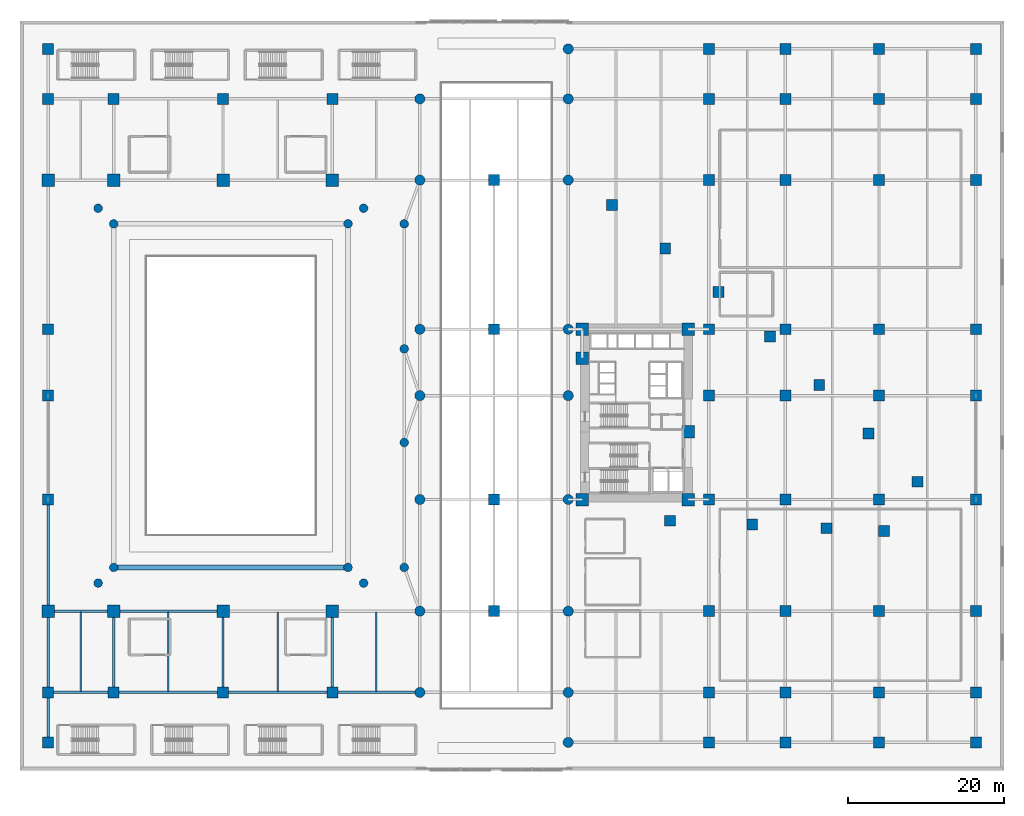
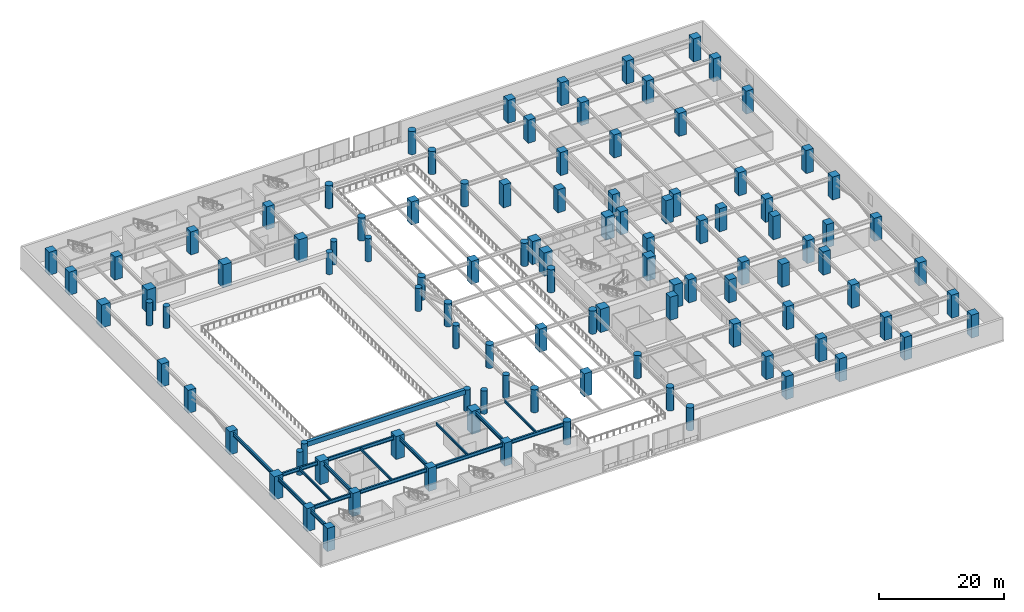
# One storey, part 1 of 32: 106 columns, 17 beams.
"""IFC4 building model written with IfcOpenShell, lengths in metres."""

from ifc_helpers import new_model, si_unit, direction, frame, origin, origin_2d, place, context, subcontext, project, spatial, rectangle, circle, i_section, extrude, material, material_profile, profile_set, type_object, element, save


model = new_model("IFC4")

# Units and contexts
model_context = context("Model", 3, precision=1e-05, world=origin(), true_north=direction((0.0, 1.0)))
body_context = subcontext(model_context, "Body", "Model", "MODEL_VIEW")
ifc_project = project(units=[si_unit("LENGTHUNIT", "METRE"), si_unit("AREAUNIT", "SQUARE_METRE"), si_unit("VOLUMEUNIT", "CUBIC_METRE"), si_unit("PLANEANGLEUNIT", "RADIAN"), si_unit("MASSUNIT", "GRAM", prefix="KILO")], contexts=[model_context])

# Site, building, storey
site_placement = place(None, origin())
site = spatial("IfcSite", under=ifc_project, at=site_placement, CompositionType="ELEMENT")
building_placement = place(site_placement, origin())
building = spatial("IfcBuilding", under=site, at=building_placement, Name="Narakoshi Arena Tower", CompositionType="ELEMENT")
storey_placement = place(building_placement, frame((0.0, 0.0, 4.5)))
storey = spatial("IfcBuildingStorey", under=building, at=storey_placement, Name="L01", CompositionType="ELEMENT", Elevation=4.5)

# Columns
ifc_material_1 = material(Name="Concrete C50/60", Category="concrete")
ifc_material_profile_1 = material_profile(ifc_material_1, circle(Radius=0.550048828125, at=origin_2d()), Name="RCC1100")
ifc_profile_set_1 = profile_set([ifc_material_profile_1], Name="Concrete C50/60")
column_type_1 = type_object("IfcColumnType", Name="COL-CIR1100", PredefinedType="PILASTER", material=ifc_profile_set_1)
for number, where, z_axis, x_axis, name in (
    (1, (12.0, 26.0, 0.0), (0.0, 0.0, 1.0), (1.0, 0.0, 0.0), "L01 Arena Bowl Raker Column BWL2A"),
    (2, (42.0, 26.0, 0.0), (0.0, 0.0, 1.0), (1.0, 0.0, 0.0), "L01 Arena Bowl Raker Column BWL2B"),
    (3, (42.0, 70.0, 0.0), (0.0, 0.0, 1.0), (1.0, 0.0, 0.0), "L01 Arena Bowl Raker Column BWL2C"),
    (4, (12.0, 70.0, 0.0), (0.0, 0.0, 1.0), (1.0, 0.0, 0.0), "L01 Arena Bowl Raker Column BWL2D"),
):
    element("IfcColumn", number, at=place(storey_placement, frame(where, z_axis=z_axis, x_axis=x_axis)), inside=storey, type_object=column_type_1, Name=name, PredefinedType="PILASTER", context=body_context, shape_type="SweptSolid", body=[
        extrude(circle(Radius=0.550048828125, at=origin_2d()), origin(), (0.0, 0.0, 1.0), 4.219970703125),
    ])
for number, where, z_axis, x_axis, name in (
    (5, (10.0, 24.0, 0.0), (0.0, 0.0, 1.0), (1.0, 0.0, 0.0), "L01 Arena Bowl Raker Column BWL3A"),
    (6, (44.0, 24.0, 0.0), (0.0, 0.0, 1.0), (1.0, 0.0, 0.0), "L01 Arena Bowl Raker Column BWL3B"),
    (7, (44.0, 72.0, 0.0), (0.0, 0.0, 1.0), (1.0, 0.0, 0.0), "L01 Arena Bowl Raker Column BWL3C"),
    (8, (10.0, 72.0, 0.0), (0.0, 0.0, 1.0), (1.0, 0.0, 0.0), "L01 Arena Bowl Raker Column BWL3D"),
    (9, (49.199951171875, 26.0, 0.0), (0.0, 0.0, 1.0), (1.0, 0.0, 0.0), "L01 Arena Foyer Pilaster Column 01"),
    (10, (49.199951171875, 42.0, 0.0), (0.0, 0.0, 1.0), (1.0, 0.0, 0.0), "L01 Arena Foyer Pilaster Column 02"),
    (11, (49.199951171875, 54.0, 0.0), (0.0, 0.0, 1.0), (1.0, 0.0, 0.0), "L01 Arena Foyer Pilaster Column 03"),
    (12, (49.199951171875, 70.0, 0.0), (0.0, 0.0, 1.0), (1.0, 0.0, 0.0), "L01 Arena Foyer Pilaster Column 04"),
):
    element("IfcColumn", number, at=place(storey_placement, frame(where, z_axis=z_axis, x_axis=x_axis)), inside=storey, type_object=column_type_1, Name=name, PredefinedType="PILASTER", context=body_context, shape_type="SweptSolid", body=[
        extrude(circle(Radius=0.550048828125, at=origin_2d()), origin(), (0.0, 0.0, 1.0), 4.5),
    ])
ifc_material_2 = material(Name="Concrete C60/75", Category="concrete")
ifc_material_profile_2 = material_profile(ifc_material_2, circle(Radius=0.64990234375, at=origin_2d()), Name="RCC1300")
ifc_profile_set_2 = profile_set([ifc_material_profile_2], Name="Concrete C60/75")
column_type_2 = type_object("IfcColumnType", Name="COL-CIR1300", PredefinedType="PILASTER", material=ifc_profile_set_2)
for number, where, z_axis, x_axis, name in (
    (13, (51.199951171875, 10.0, 0.0), (0.0, 0.0, 1.0), (1.0, 0.0, 0.0), "L01 Podium Column PC22"),
    (14, (51.199951171875, 20.39990234375, 0.0), (0.0, 0.0, 1.0), (1.0, 0.0, 0.0), "L01 Podium Column PC23"),
    (15, (51.199951171875, 34.699951171875, 0.0), (0.0, 0.0, 1.0), (1.0, 0.0, 0.0), "L01 Podium Column PC24"),
    (16, (51.199951171875, 48.0, 0.0), (0.0, 0.0, 1.0), (1.0, 0.0, 0.0), "L01 Podium Column PC25"),
    (17, (51.199951171875, 56.5, 0.0), (0.0, 0.0, 1.0), (1.0, 0.0, 0.0), "L01 Podium Column PC26"),
    (18, (51.199951171875, 75.60009765625, 0.0), (0.0, 0.0, 1.0), (1.0, 0.0, 0.0), "L01 Podium Column PC27"),
    (19, (51.199951171875, 86.0, 0.0), (0.0, 0.0, 1.0), (1.0, 0.0, 0.0), "L01 Podium Column PC28"),
    (20, (70.199951171875, 3.60009765625, 0.0), (0.0, 0.0, 1.0), (1.0, 0.0, 0.0), "L01 Podium Column PC33"),
    (21, (70.199951171875, 10.0, 0.0), (0.0, 0.0, 1.0), (1.0, 0.0, 0.0), "L01 Podium Column PC34"),
    (22, (70.199951171875, 20.39990234375, 0.0), (0.0, 0.0, 1.0), (1.0, 0.0, 0.0), "L01 Podium Column PC35"),
    (23, (70.199951171875, 34.699951171875, 0.0), (0.0, 0.0, 1.0), (1.0, 0.0, 0.0), "L01 Podium Column PC36"),
    (24, (70.199951171875, 48.0, 0.0), (0.0, 0.0, 1.0), (1.0, 0.0, 0.0), "L01 Podium Column PC37"),
    (25, (70.199951171875, 56.5, 0.0), (0.0, 0.0, 1.0), (1.0, 0.0, 0.0), "L01 Podium Column PC38"),
    (26, (70.199951171875, 75.60009765625, 0.0), (0.0, 0.0, 1.0), (1.0, 0.0, 0.0), "L01 Podium Column PC39"),
    (27, (70.199951171875, 86.0, 0.0), (0.0, 0.0, 1.0), (1.0, 0.0, 0.0), "L01 Podium Column PC40"),
    (28, (70.199951171875, 92.39990234375, 0.0), (0.0, 0.0, 1.0), (1.0, 0.0, 0.0), "L01 Podium Column PC41"),
):
    element("IfcColumn", number, at=place(storey_placement, frame(where, z_axis=z_axis, x_axis=x_axis)), inside=storey, type_object=column_type_2, Name=name, PredefinedType="PILASTER", context=body_context, shape_type="SweptSolid", body=[
        extrude(circle(Radius=0.64990234375, at=origin_2d()), origin(), (0.0, 0.0, 1.0), 4.5),
    ])
ifc_material_profile_3 = material_profile(ifc_material_2, rectangle(XDim=1.39990234375, YDim=1.39990234375, at=origin_2d()), Name="RC1400x1400")
ifc_profile_set_3 = profile_set([ifc_material_profile_3], Name="Concrete C60/75")
column_type_3 = type_object("IfcColumnType", Name="COL-RC1400", PredefinedType="COLUMN", material=ifc_profile_set_3)
for number, where, z_axis, x_axis, name in (
    (29, (3.60009765625, 3.60009765625, 0.0), (0.0, 0.0, 1.0), (1.0, 0.0, 0.0), "L01 Podium Column PC01"),
    (30, (3.60009765625, 10.0, 0.0), (0.0, 0.0, 1.0), (1.0, 0.0, 0.0), "L01 Podium Column PC02"),
    (31, (3.60009765625, 34.699951171875, 0.0), (0.0, 0.0, 1.0), (1.0, 0.0, 0.0), "L01 Podium Column PC04"),
    (32, (3.60009765625, 48.0, 0.0), (0.0, 0.0, 1.0), (1.0, 0.0, 0.0), "L01 Podium Column PC05"),
    (33, (3.60009765625, 56.5, 0.0), (0.0, 0.0, 1.0), (1.0, 0.0, 0.0), "L01 Podium Column PC06"),
    (34, (3.60009765625, 86.0, 0.0), (0.0, 0.0, 1.0), (1.0, 0.0, 0.0), "L01 Podium Column PC08"),
    (35, (3.60009765625, 92.39990234375, 0.0), (0.0, 0.0, 1.0), (1.0, 0.0, 0.0), "L01 Podium Column PC09"),
    (36, (12.0, 10.0, 0.0), (0.0, 0.0, 1.0), (1.0, 0.0, 0.0), "L01 Podium Column PC10"),
    (37, (12.0, 86.0, 0.0), (0.0, 0.0, 1.0), (1.0, 0.0, 0.0), "L01 Podium Column PC13"),
    (38, (26.0, 10.0, 0.0), (0.0, 0.0, 1.0), (1.0, 0.0, 0.0), "L01 Podium Column PC14"),
    (39, (26.0, 86.0, 0.0), (0.0, 0.0, 1.0), (1.0, 0.0, 0.0), "L01 Podium Column PC17"),
    (40, (40.0, 10.0, 0.0), (0.0, 0.0, 1.0), (1.0, 0.0, 0.0), "L01 Podium Column PC18"),
    (41, (40.0, 86.0, 0.0), (0.0, 0.0, 1.0), (1.0, 0.0, 0.0), "L01 Podium Column PC21"),
    (42, (60.699951171875, 20.39990234375, 0.0), (0.0, 0.0, 1.0), (1.0, 0.0, 0.0), "L01 Podium Column PC29"),
    (43, (60.699951171875, 34.699951171875, 0.0), (0.0, 0.0, 1.0), (1.0, 0.0, 0.0), "L01 Podium Column PC30"),
    (44, (60.699951171875, 56.5, 0.0), (0.0, 0.0, 1.0), (1.0, 0.0, 0.0), "L01 Podium Column PC31"),
    (45, (60.699951171875, 75.60009765625, 0.0), (0.0, 0.0, 1.0), (1.0, 0.0, 0.0), "L01 Podium Column PC32"),
    (46, (88.199951171875, 3.60009765625, 0.0), (0.0, 0.0, 1.0), (1.0, 0.0, 0.0), "L01 Podium Column PC42"),
    (47, (88.199951171875, 10.0, 0.0), (0.0, 0.0, 1.0), (1.0, 0.0, 0.0), "L01 Podium Column PC43"),
    (48, (88.199951171875, 20.39990234375, 0.0), (0.0, 0.0, 1.0), (1.0, 0.0, 0.0), "L01 Podium Column PC44"),
    (49, (88.199951171875, 34.699951171875, 0.0), (0.0, 0.0, 1.0), (1.0, 0.0, 0.0), "L01 Podium Column PC45"),
    (50, (88.199951171875, 48.0, 0.0), (0.0, 0.0, 1.0), (1.0, 0.0, 0.0), "L01 Podium Column PC46"),
    (51, (88.199951171875, 56.5, 0.0), (0.0, 0.0, 1.0), (1.0, 0.0, 0.0), "L01 Podium Column PC47"),
    (52, (88.199951171875, 75.60009765625, 0.0), (0.0, 0.0, 1.0), (1.0, 0.0, 0.0), "L01 Podium Column PC48"),
    (53, (88.199951171875, 86.0, 0.0), (0.0, 0.0, 1.0), (1.0, 0.0, 0.0), "L01 Podium Column PC49"),
    (54, (88.199951171875, 92.39990234375, 0.0), (0.0, 0.0, 1.0), (1.0, 0.0, 0.0), "L01 Podium Column PC50"),
    (55, (98.0, 3.60009765625, 0.0), (0.0, 0.0, 1.0), (1.0, 0.0, 0.0), "L01 Podium Column PC51"),
    (56, (98.0, 10.0, 0.0), (0.0, 0.0, 1.0), (1.0, 0.0, 0.0), "L01 Podium Column PC52"),
    (57, (98.0, 20.39990234375, 0.0), (0.0, 0.0, 1.0), (1.0, 0.0, 0.0), "L01 Podium Column PC53"),
    (58, (98.0, 34.699951171875, 0.0), (0.0, 0.0, 1.0), (1.0, 0.0, 0.0), "L01 Podium Column PC54"),
    (59, (98.0, 48.0, 0.0), (0.0, 0.0, 1.0), (1.0, 0.0, 0.0), "L01 Podium Column PC55"),
    (60, (98.0, 56.5, 0.0), (0.0, 0.0, 1.0), (1.0, 0.0, 0.0), "L01 Podium Column PC56"),
    (61, (98.0, 75.60009765625, 0.0), (0.0, 0.0, 1.0), (1.0, 0.0, 0.0), "L01 Podium Column PC57"),
    (62, (98.0, 86.0, 0.0), (0.0, 0.0, 1.0), (1.0, 0.0, 0.0), "L01 Podium Column PC58"),
    (63, (98.0, 92.39990234375, 0.0), (0.0, 0.0, 1.0), (1.0, 0.0, 0.0), "L01 Podium Column PC59"),
    (64, (110.0, 3.60009765625, 0.0), (0.0, 0.0, 1.0), (1.0, 0.0, 0.0), "L01 Podium Column PC60"),
    (65, (110.0, 10.0, 0.0), (0.0, 0.0, 1.0), (1.0, 0.0, 0.0), "L01 Podium Column PC61"),
    (66, (110.0, 20.39990234375, 0.0), (0.0, 0.0, 1.0), (1.0, 0.0, 0.0), "L01 Podium Column PC62"),
    (67, (110.0, 34.699951171875, 0.0), (0.0, 0.0, 1.0), (1.0, 0.0, 0.0), "L01 Podium Column PC63"),
    (68, (110.0, 48.0, 0.0), (0.0, 0.0, 1.0), (1.0, 0.0, 0.0), "L01 Podium Column PC64"),
    (69, (110.0, 56.5, 0.0), (0.0, 0.0, 1.0), (1.0, 0.0, 0.0), "L01 Podium Column PC65"),
    (70, (110.0, 75.60009765625, 0.0), (0.0, 0.0, 1.0), (1.0, 0.0, 0.0), "L01 Podium Column PC66"),
    (71, (110.0, 86.0, 0.0), (0.0, 0.0, 1.0), (1.0, 0.0, 0.0), "L01 Podium Column PC67"),
    (72, (110.0, 92.39990234375, 0.0), (0.0, 0.0, 1.0), (1.0, 0.0, 0.0), "L01 Podium Column PC68"),
    (73, (122.39990234375, 3.60009765625, 0.0), (0.0, 0.0, 1.0), (1.0, 0.0, 0.0), "L01 Podium Column PC69"),
    (74, (122.39990234375, 10.0, 0.0), (0.0, 0.0, 1.0), (1.0, 0.0, 0.0), "L01 Podium Column PC70"),
    (75, (122.39990234375, 20.39990234375, 0.0), (0.0, 0.0, 1.0), (1.0, 0.0, 0.0), "L01 Podium Column PC71"),
    (76, (122.39990234375, 34.699951171875, 0.0), (0.0, 0.0, 1.0), (1.0, 0.0, 0.0), "L01 Podium Column PC72"),
    (77, (122.39990234375, 48.0, 0.0), (0.0, 0.0, 1.0), (1.0, 0.0, 0.0), "L01 Podium Column PC73"),
    (78, (122.39990234375, 56.5, 0.0), (0.0, 0.0, 1.0), (1.0, 0.0, 0.0), "L01 Podium Column PC74"),
    (79, (122.39990234375, 75.60009765625, 0.0), (0.0, 0.0, 1.0), (1.0, 0.0, 0.0), "L01 Podium Column PC75"),
    (80, (122.39990234375, 86.0, 0.0), (0.0, 0.0, 1.0), (1.0, 0.0, 0.0), "L01 Podium Column PC76"),
    (81, (122.39990234375, 92.39990234375, 0.0), (0.0, 0.0, 1.0), (1.0, 0.0, 0.0), "L01 Podium Column PC77"),
    (82, (83.2119140625, 31.979248046875, 0.0), (0.0, 0.0, 1.0), (1.0, 0.0, 0.0), "L01 Tower Plumb Pier B1P01"),
    (83, (93.760009765625, 31.472412109375, 0.0), (0.0, 0.0, 1.0), (1.0, 0.0, 0.0), "L01 Tower Plumb Pier B1P02"),
    (84, (103.2529296875, 31.0166015625, 0.0), (0.0, 0.0, 1.0), (1.0, 0.0, 0.0), "L01 Tower Plumb Pier B1P03"),
    (85, (110.636474609375, 30.661865234375, 0.0), (0.0, 0.0, 1.0), (1.0, 0.0, 0.0), "L01 Tower Plumb Pier B1P04"),
    (86, (114.942138671875, 36.969970703125, 0.0), (0.0, 0.0, 1.0), (1.0, 0.0, 0.0), "L01 Tower Plumb Pier B1P05"),
    (87, (108.643798828125, 43.171875, 0.0), (0.0, 0.0, 1.0), (1.0, 0.0, 0.0), "L01 Tower Plumb Pier B1P06"),
    (88, (102.345458984375, 49.373779296875, 0.0), (0.0, 0.0, 1.0), (1.0, 0.0, 0.0), "L01 Tower Plumb Pier B1P07"),
    (89, (96.047119140625, 55.57568359375, 0.0), (0.0, 0.0, 1.0), (1.0, 0.0, 0.0), "L01 Tower Plumb Pier B1P08"),
    (90, (89.459716796875, 61.28515625, 0.0), (0.0, 0.0, 1.0), (1.0, 0.0, 0.0), "L01 Tower Plumb Pier B1P09"),
    (91, (82.626953125, 66.838623046875, 0.0), (0.0, 0.0, 1.0), (1.0, 0.0, 0.0), "L01 Tower Plumb Pier B1P10"),
    (92, (75.794189453125, 72.392333984375, 0.0), (0.0, 0.0, 1.0), (1.0, 0.0, 0.0), "L01 Tower Plumb Pier B1P11"),
):
    element("IfcColumn", number, at=place(storey_placement, frame(where, z_axis=z_axis, x_axis=x_axis)), inside=storey, type_object=column_type_3, Name=name, PredefinedType="COLUMN", context=body_context, shape_type="SweptSolid", body=[
        extrude(rectangle(XDim=1.39990234375, YDim=1.39990234375, at=origin_2d()), origin(), (0.0, 0.0, 1.0), 4.5),
    ])
ifc_material_profile_4 = material_profile(ifc_material_2, rectangle(XDim=1.60009765625, YDim=1.60009765625, at=origin_2d()), Name="RC1600x1600")
ifc_profile_set_4 = profile_set([ifc_material_profile_4], Name="Concrete C60/75")
column_type_4 = type_object("IfcColumnType", Name="COL-RC1600", PredefinedType="COLUMN", material=ifc_profile_set_4)
for number, where, z_axis, x_axis, name in (
    (93, (72.0, 34.699951171875, 0.0), (0.0, 0.0, 1.0), (1.0, 0.0, 0.0), "L01 Podium Column CC1"),
    (94, (85.550048828125, 34.699951171875, 0.0), (0.0, 0.0, 1.0), (1.0, 0.0, 0.0), "L01 Podium Column CC2"),
    (95, (85.550048828125, 43.35009765625, 0.0), (0.0, 0.0, 1.0), (1.0, 0.0, 0.0), "L01 Podium Column CC3"),
    (96, (72.0, 52.800048828125, 0.0), (0.0, 0.0, 1.0), (1.0, 0.0, 0.0), "L01 Podium Column CC4"),
    (97, (72.0, 56.5, 0.0), (0.0, 0.0, 1.0), (1.0, 0.0, 0.0), "L01 Podium Column CC5"),
    (98, (85.550048828125, 56.5, 0.0), (0.0, 0.0, 1.0), (1.0, 0.0, 0.0), "L01 Podium Column CC6"),
    (99, (3.60009765625, 20.39990234375, 0.0), (0.0, 0.0, 1.0), (1.0, 0.0, 0.0), "L01 Podium Column PC03"),
    (100, (3.60009765625, 75.60009765625, 0.0), (0.0, 0.0, 1.0), (1.0, 0.0, 0.0), "L01 Podium Column PC07"),
    (101, (12.0, 20.39990234375, 0.0), (0.0, 0.0, 1.0), (1.0, 0.0, 0.0), "L01 Podium Column PC11"),
    (102, (12.0, 75.60009765625, 0.0), (0.0, 0.0, 1.0), (1.0, 0.0, 0.0), "L01 Podium Column PC12"),
    (103, (26.0, 20.39990234375, 0.0), (0.0, 0.0, 1.0), (1.0, 0.0, 0.0), "L01 Podium Column PC15"),
    (104, (26.0, 75.60009765625, 0.0), (0.0, 0.0, 1.0), (1.0, 0.0, 0.0), "L01 Podium Column PC16"),
    (105, (40.0, 20.39990234375, 0.0), (0.0, 0.0, 1.0), (1.0, 0.0, 0.0), "L01 Podium Column PC19"),
    (106, (40.0, 75.60009765625, 0.0), (0.0, 0.0, 1.0), (1.0, 0.0, 0.0), "L01 Podium Column PC20"),
):
    element("IfcColumn", number, at=place(storey_placement, frame(where, z_axis=z_axis, x_axis=x_axis)), inside=storey, type_object=column_type_4, Name=name, PredefinedType="COLUMN", context=body_context, shape_type="SweptSolid", body=[
        extrude(rectangle(XDim=1.60009765625, YDim=1.60009765625, at=origin_2d()), origin(), (0.0, 0.0, 1.0), 4.5),
    ])

# Beams
ifc_material_3 = material(Name="Structural steel S355J2", Category="steel")
ifc_material_profile_5 = material_profile(ifc_material_3, i_section(OverallWidth=0.300048828125, OverallDepth=0.699951171875, WebThickness=0.01708984375, FlangeThickness=0.031982421875, FilletRadius=0.027099609375, at=origin_2d()), Name="HE700B")
ifc_profile_set_5 = profile_set([ifc_material_profile_5], Name="Structural steel S355J2")
beam_type_1 = type_object("IfcBeamType", Name="BM-PRI-700", PredefinedType="BEAM", material=ifc_profile_set_5)
beam_1_placement = place(storey_placement, frame((3.60009765625, 10.0, 3.830078125), z_axis=(1.0, 0.0, 0.0), x_axis=(0.0, 1.0, 0.0)))
element("IfcBeam", 107, at=beam_1_placement, inside=storey, type_object=beam_type_1, Name="L01 Podium Primary X-Girder 005", PredefinedType="BEAM", context=body_context, shape_type="SweptSolid", body=[
    extrude(i_section(OverallWidth=0.300048828125, OverallDepth=0.699951171875, WebThickness=0.01708984375, FlangeThickness=0.031982421875, FilletRadius=0.027099609375, at=origin_2d()), origin(), (0.0, 0.0, 1.0), 8.39990234375),
])
for number, where, z_axis, x_axis, name in (
    (108, (12.0, 10.0, 3.830078125), (1.0, 0.0, 0.0), (0.0, 1.0, 0.0), "L01 Podium Primary X-Girder 006"),
    (109, (26.0, 10.0, 3.830078125), (1.0, 0.0, 0.0), (0.0, 1.0, 0.0), "L01 Podium Primary X-Girder 007"),
):
    element("IfcBeam", number, at=place(storey_placement, frame(where, z_axis=z_axis, x_axis=x_axis)), inside=storey, type_object=beam_type_1, Name=name, PredefinedType="BEAM", context=body_context, shape_type="SweptSolid", body=[
        extrude(i_section(OverallWidth=0.300048828125, OverallDepth=0.699951171875, WebThickness=0.01708984375, FlangeThickness=0.031982421875, FilletRadius=0.027099609375, at=origin_2d()), origin(), (0.0, 0.0, 1.0), 14.0),
    ])
beam_2_placement = place(storey_placement, frame((40.0, 10.0, 3.830078125), z_axis=(1.0, 0.0, 0.0), x_axis=(0.0, 1.0, 0.0)))
element("IfcBeam", 110, at=beam_2_placement, inside=storey, type_object=beam_type_1, Name="L01 Podium Primary X-Girder 008", PredefinedType="BEAM", context=body_context, shape_type="SweptSolid", body=[
    extrude(i_section(OverallWidth=0.300048828125, OverallDepth=0.699951171875, WebThickness=0.01708984375, FlangeThickness=0.031982421875, FilletRadius=0.027099609375, at=origin_2d()), origin(), (0.0, 0.0, 1.0), 11.199951171875),
])
beam_3_placement = place(storey_placement, frame((3.60009765625, 20.39990234375, 3.830078125), z_axis=(1.0, 0.0, 0.0), x_axis=(0.0, 1.0, 0.0)))
element("IfcBeam", 111, at=beam_3_placement, inside=storey, type_object=beam_type_1, Name="L01 Podium Primary X-Girder 014", PredefinedType="BEAM", context=body_context, shape_type="SweptSolid", body=[
    extrude(i_section(OverallWidth=0.300048828125, OverallDepth=0.699951171875, WebThickness=0.01708984375, FlangeThickness=0.031982421875, FilletRadius=0.027099609375, at=origin_2d()), origin(), (0.0, 0.0, 1.0), 8.39990234375),
])
beam_4_placement = place(storey_placement, frame((12.0, 20.39990234375, 3.830078125), z_axis=(1.0, 0.0, 0.0), x_axis=(0.0, 1.0, 0.0)))
element("IfcBeam", 112, at=beam_4_placement, inside=storey, type_object=beam_type_1, Name="L01 Podium Primary X-Girder 015", PredefinedType="BEAM", context=body_context, shape_type="SweptSolid", body=[
    extrude(i_section(OverallWidth=0.300048828125, OverallDepth=0.699951171875, WebThickness=0.01708984375, FlangeThickness=0.031982421875, FilletRadius=0.027099609375, at=origin_2d()), origin(), (0.0, 0.0, 1.0), 14.0),
])
beam_5_placement = place(storey_placement, frame((3.60009765625, 3.60009765625, 3.830078125), z_axis=(0.0, 1.0, 0.0), x_axis=(-1.0, 0.0, 0.0)))
element("IfcBeam", 113, at=beam_5_placement, inside=storey, type_object=beam_type_1, Name="L01 Podium Primary Y-Girder 066", PredefinedType="BEAM", context=body_context, shape_type="SweptSolid", body=[
    extrude(i_section(OverallWidth=0.300048828125, OverallDepth=0.699951171875, WebThickness=0.01708984375, FlangeThickness=0.031982421875, FilletRadius=0.027099609375, at=origin_2d()), origin(), (0.0, 0.0, 1.0), 6.39990234375),
])
beam_6_placement = place(storey_placement, frame((3.60009765625, 10.0, 3.830078125), z_axis=(0.0, 1.0, 0.0), x_axis=(-1.0, 0.0, 0.0)))
element("IfcBeam", 114, at=beam_6_placement, inside=storey, type_object=beam_type_1, Name="L01 Podium Primary Y-Girder 067", PredefinedType="BEAM", context=body_context, shape_type="SweptSolid", body=[
    extrude(i_section(OverallWidth=0.300048828125, OverallDepth=0.699951171875, WebThickness=0.01708984375, FlangeThickness=0.031982421875, FilletRadius=0.027099609375, at=origin_2d()), origin(), (0.0, 0.0, 1.0), 10.39990234375),
])
beam_7_placement = place(storey_placement, frame((3.60009765625, 20.39990234375, 3.830078125), z_axis=(0.0, 1.0, 0.0), x_axis=(-1.0, 0.0, 0.0)))
element("IfcBeam", 115, at=beam_7_placement, inside=storey, type_object=beam_type_1, Name="L01 Podium Primary Y-Girder 068", PredefinedType="BEAM", context=body_context, shape_type="SweptSolid", body=[
    extrude(i_section(OverallWidth=0.300048828125, OverallDepth=0.699951171875, WebThickness=0.01708984375, FlangeThickness=0.031982421875, FilletRadius=0.027099609375, at=origin_2d()), origin(), (0.0, 0.0, 1.0), 14.300048828125),
])
for number, where, z_axis, x_axis, name in (
    (116, (12.0, 10.0, 3.830078125), (0.0, 1.0, 0.0), (-1.0, 0.0, 0.0), "L01 Podium Primary Y-Girder 074"),
    (117, (26.0, 10.0, 3.830078125), (0.0, 1.0, 0.0), (-1.0, 0.0, 0.0), "L01 Podium Primary Y-Girder 076"),
    (118, (40.0, 10.0, 3.830078125), (0.0, 1.0, 0.0), (-1.0, 0.0, 0.0), "L01 Podium Primary Y-Girder 078"),
):
    element("IfcBeam", number, at=place(storey_placement, frame(where, z_axis=z_axis, x_axis=x_axis)), inside=storey, type_object=beam_type_1, Name=name, PredefinedType="BEAM", context=body_context, shape_type="SweptSolid", body=[
        extrude(i_section(OverallWidth=0.300048828125, OverallDepth=0.699951171875, WebThickness=0.01708984375, FlangeThickness=0.031982421875, FilletRadius=0.027099609375, at=origin_2d()), origin(), (0.0, 0.0, 1.0), 10.39990234375),
    ])
ifc_material_profile_6 = material_profile(ifc_material_1, rectangle(XDim=0.60009765625, YDim=0.89990234375, at=origin_2d()), Name="RCB600x900")
ifc_profile_set_6 = profile_set([ifc_material_profile_6], Name="Concrete C50/60")
beam_type_2 = type_object("IfcBeamType", Name="BM-RC-900", PredefinedType="BEAM", material=ifc_profile_set_6)
beam_8_placement = place(storey_placement, frame((12.0, 26.0, 3.77001953125), z_axis=(1.0, 0.0, 0.0), x_axis=(0.0, 1.0, 0.0)))
element("IfcBeam", 119, at=beam_8_placement, inside=storey, type_object=beam_type_2, Name="L01 Arena Bowl Concrete Ring Beam 1", PredefinedType="BEAM", context=body_context, shape_type="SweptSolid", body=[
    extrude(rectangle(XDim=0.60009765625, YDim=0.89990234375, at=origin_2d()), origin(), (0.0, 0.0, 1.0), 30.0),
])
ifc_material_profile_7 = material_profile(ifc_material_3, i_section(OverallWidth=0.199951171875, OverallDepth=0.5, WebThickness=0.01025390625, FlangeThickness=0.01611328125, FilletRadius=0.02099609375, at=origin_2d()), Name="IPE500")
ifc_profile_set_7 = profile_set([ifc_material_profile_7], Name="Structural steel S355J2")
beam_type_3 = type_object("IfcBeamType", Name="BM-SEC-500", PredefinedType="JOIST", material=ifc_profile_set_7)
for number, where, z_axis, x_axis, name in (
    (120, (7.800048828125, 10.135009765625, 3.929931640625), (0.0, 1.0, 0.0), (-1.0, 0.0, 0.0), "L01 Podium Composite Floor Joist 001"),
    (121, (19.0, 10.135009765625, 3.929931640625), (0.0, 1.0, 0.0), (-1.0, 0.0, 0.0), "L01 Podium Composite Floor Joist 003"),
    (122, (33.0, 10.135009765625, 3.929931640625), (0.0, 1.0, 0.0), (-1.0, 0.0, 0.0), "L01 Podium Composite Floor Joist 005"),
    (123, (45.60009765625, 10.135009765625, 3.929931640625), (0.0, 1.0, 0.0), (-1.0, 0.0, 0.0), "L01 Podium Composite Floor Joist 007"),
):
    element("IfcBeam", number, at=place(storey_placement, frame(where, z_axis=z_axis, x_axis=x_axis)), inside=storey, type_object=beam_type_3, Name=name, PredefinedType="JOIST", context=body_context, shape_type="SweptSolid", body=[
        extrude(i_section(OverallWidth=0.199951171875, OverallDepth=0.5, WebThickness=0.01025390625, FlangeThickness=0.01611328125, FilletRadius=0.02099609375, at=origin_2d()), origin(), (0.0, 0.0, 1.0), 10.1298828125),
    ])

save(model, "model.ifc")
